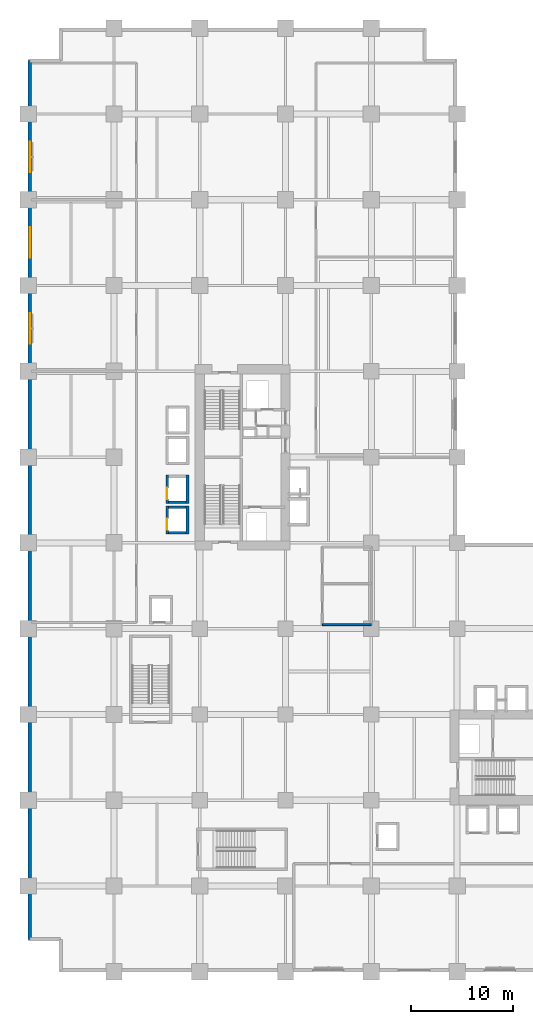
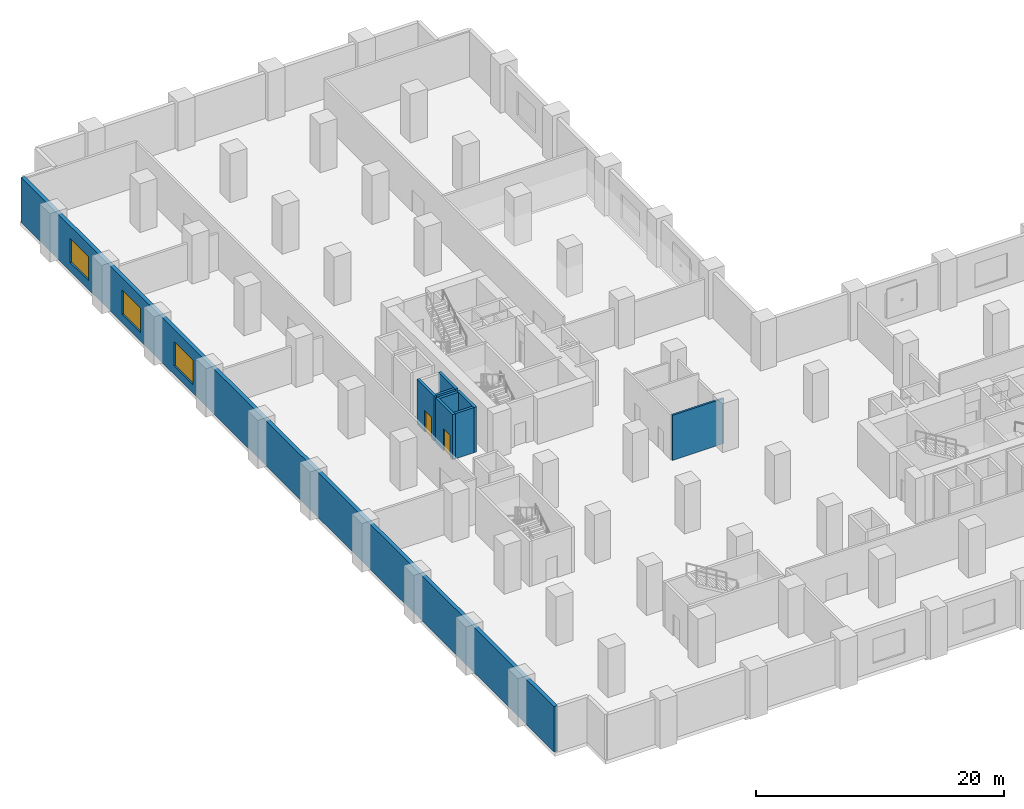
# One storey, part 11 of 22: 9 walls, 3 windows, 2 doors, 5 openings.
"""IFC4 building model written with IfcOpenShell, lengths in metres."""

from ifc_helpers import new_model, si_unit, direction, frame, frame_2d, origin, place, context, subcontext, project, spatial, rectangle, extrude, material, layer, layer_set, type_object, element, fill, save


model = new_model("IFC4")

# Units and contexts
model_context = context("Model", 3, precision=1e-05, world=origin(), true_north=direction((0.0, 1.0)))
body_context = subcontext(model_context, "Body", "Model", "MODEL_VIEW")
ifc_project = project(units=[si_unit("LENGTHUNIT", "METRE"), si_unit("AREAUNIT", "SQUARE_METRE"), si_unit("VOLUMEUNIT", "CUBIC_METRE"), si_unit("PLANEANGLEUNIT", "RADIAN"), si_unit("MASSUNIT", "GRAM", prefix="KILO")], contexts=[model_context])

# Site, building, storey
site_placement = place(None, origin())
site = spatial("IfcSite", under=ifc_project, at=site_placement, CompositionType="ELEMENT")
building_placement = place(site_placement, origin())
building = spatial("IfcBuilding", under=site, at=building_placement, Name="Koriwani Terraces Tower", CompositionType="ELEMENT")
storey_placement = place(building_placement, frame((0.0, 0.0, 10.800048828125)))
storey = spatial("IfcBuildingStorey", under=building, at=storey_placement, Name="L02", CompositionType="ELEMENT", Elevation=10.800048828125)

# Wall, openings, windows
ifc_material_1 = material(Name="Concrete C50/60", Category="concrete")
ifc_layer_1 = layer(ifc_material_1, 0.35009765625, Name="Concrete C50/60")
ifc_layer_set_1 = layer_set([ifc_layer_1], Name="Concrete C50/60")
wall_type_1 = type_object("IfcWallType", Name="WALL_EXT_BRUTALIST_350", PredefinedType="STANDARD", material=ifc_layer_set_1)
wall_1_placement = place(storey_placement, frame((0.175048828125, 3.175048828125, 0.0), z_axis=(0.0, 0.0, 1.0), x_axis=(0.0, 1.0, 0.0)))
wall_1 = element("IfcWall", 1, at=wall_1_placement, inside=storey, type_object=wall_type_1, Name="L02 Fair-Faced Brutalist Exterior Wall (W)", PredefinedType="STANDARD", context=body_context, shape_type="SweptSolid", body=[
    extrude(rectangle(XDim=86.050048828125, YDim=0.35009765625, at=frame_2d((43.02490234375, 0.0))), origin(), (0.0, 0.0, 1.0), 4.449951171875),
])
opening_1_placement = place(wall_1_placement, frame((58.324951171875, 0.0, 0.85009765625)))
opening_1 = element("IfcOpeningElement", 2, at=opening_1_placement, cuts=wall_1, Name="Opening W-06", PredefinedType="OPENING", context=body_context, shape_type="SweptSolid", body=[
    extrude(rectangle(XDim=3.0, YDim=2.39990234375, at=frame_2d((1.5, 1.199951171875))), frame((0.0, 0.18505859375, 0.0), z_axis=(0.0, -1.0, 0.0), x_axis=(1.0, 0.0, 0.0)), (0.0, 0.0, 1.0), 0.3701171875),
])
opening_2_placement = place(wall_1_placement, frame((66.72509765625, 0.0, 0.85009765625)))
opening_2 = element("IfcOpeningElement", 3, at=opening_2_placement, cuts=wall_1, Name="Opening W-06", PredefinedType="OPENING", context=body_context, shape_type="SweptSolid", body=[
    extrude(rectangle(XDim=3.0, YDim=2.39990234375, at=frame_2d((1.5, 1.199951171875))), frame((0.0, 0.18505859375, 0.0), z_axis=(0.0, -1.0, 0.0), x_axis=(1.0, 0.0, 0.0)), (0.0, 0.0, 1.0), 0.3701171875),
])
opening_3_placement = place(wall_1_placement, frame((75.125, 0.0, 0.85009765625)))
opening_3 = element("IfcOpeningElement", 4, at=opening_3_placement, cuts=wall_1, Name="Opening W-06", PredefinedType="OPENING", context=body_context, shape_type="SweptSolid", body=[
    extrude(rectangle(XDim=3.0, YDim=2.39990234375, at=frame_2d((1.5, 1.199951171875))), frame((0.0, 0.18505859375, 0.0), z_axis=(0.0, -1.0, 0.0), x_axis=(1.0, 0.0, 0.0)), (0.0, 0.0, 1.0), 0.3701171875),
])
ifc_material_2 = material(Name="Tempered Laminated Low-E Glass", Category="glass")
window_type = type_object("IfcWindowType", Name="WIN_PODIUM_PUNCHED_3000X2400", PartitioningType="TRIPLE_PANEL_VERTICAL", PredefinedType="WINDOW", material=ifc_material_2)
window_1_placement = place(opening_1_placement, origin())
window_1 = element("IfcWindow", 5, at=window_1_placement, inside=storey, type_object=window_type, Name="L02 Exterior Window (W-21)", OverallHeight=2.39990234375, OverallWidth=3.0, PartitioningType="SINGLE_PANEL", PredefinedType="WINDOW", context=body_context, shape_type="SweptSolid", body=[
    extrude(rectangle(XDim=3.0, YDim=2.39990234375, at=frame_2d((1.5, 1.199951171875))), frame((0.0, 0.030029296875, 0.0), z_axis=(0.0, -1.0, 0.0), x_axis=(1.0, 0.0, 0.0)), (0.0, 0.0, 1.0), 0.06005859375),
])
fill(opening_1, window_1)
window_2_placement = place(opening_2_placement, origin())
window_2 = element("IfcWindow", 6, at=window_2_placement, inside=storey, type_object=window_type, Name="L02 Exterior Window (W-24)", OverallHeight=2.39990234375, OverallWidth=3.0, PartitioningType="SINGLE_PANEL", PredefinedType="WINDOW", context=body_context, shape_type="SweptSolid", body=[
    extrude(rectangle(XDim=3.0, YDim=2.39990234375, at=frame_2d((1.5, 1.199951171875))), frame((0.0, 0.030029296875, 0.0), z_axis=(0.0, -1.0, 0.0), x_axis=(1.0, 0.0, 0.0)), (0.0, 0.0, 1.0), 0.06005859375),
])
fill(opening_2, window_2)
window_3_placement = place(opening_3_placement, origin())
window_3 = element("IfcWindow", 7, at=window_3_placement, inside=storey, type_object=window_type, Name="L02 Exterior Window (W-27)", OverallHeight=2.39990234375, OverallWidth=3.0, PartitioningType="SINGLE_PANEL", PredefinedType="WINDOW", context=body_context, shape_type="SweptSolid", body=[
    extrude(rectangle(XDim=3.0, YDim=2.39990234375, at=frame_2d((1.5, 1.199951171875))), frame((0.0, 0.030029296875, 0.0), z_axis=(0.0, -1.0, 0.0), x_axis=(1.0, 0.0, 0.0)), (0.0, 0.0, 1.0), 0.06005859375),
])
fill(opening_3, window_3)

# Wall
ifc_material_3 = material(Name="Fire-Rated Acoustic Gypsum Partition", Category="masonry")
ifc_layer_2 = layer(ifc_material_3, 0.179931640625, Name="Fire-Rated Acoustic Gypsum Partition")
ifc_layer_set_2 = layer_set([ifc_layer_2], Name="Fire-Rated Acoustic Gypsum Partition")
wall_type_2 = type_object("IfcWallType", Name="WALL_PLUMBING_180", PredefinedType="PLUMBINGWALL", material=ifc_layer_set_2)
wall_2_placement = place(storey_placement, frame((28.800048828125, 34.0, 0.0), z_axis=(0.0, 0.0, 1.0), x_axis=(1.0, 0.0, 0.0)))
element("IfcWall", 8, at=wall_2_placement, inside=storey, type_object=wall_type_2, Name="L02 Interior Wall WPOD-WCS-L02", PredefinedType="PLUMBINGWALL", context=body_context, shape_type="SweptSolid", body=[
    extrude(rectangle(XDim=4.800048828125, YDim=0.179931640625, at=frame_2d((2.39990234375, 0.0))), origin(), (0.0, 0.0, 1.0), 4.449951171875),
])

# Wall, opening, door
ifc_material_4 = material(Name="Concrete C40/50", Category="concrete")
ifc_layer_3 = layer(ifc_material_4, 0.25, Name="Concrete C40/50")
ifc_layer_set_3 = layer_set([ifc_layer_3], Name="Concrete C40/50")
wall_type_3 = type_object("IfcWallType", Name="WALL_SHAFT_RATED_250", PredefinedType="SOLIDWALL", material=ifc_layer_set_3)
wall_3_placement = place(storey_placement, frame((13.60009765625, 42.875, 0.0), z_axis=(0.0, 0.0, 1.0), x_axis=(0.0, 1.0, 0.0)))
wall_3 = element("IfcWall", 9, at=wall_3_placement, inside=storey, type_object=wall_type_3, Name="L02 Interior Wall WIN-LF-PE-L1-L02-F", PredefinedType="SOLIDWALL", context=body_context, shape_type="SweptSolid", body=[
    extrude(rectangle(XDim=2.75, YDim=0.25, at=frame_2d((1.375, 0.0))), origin(), (0.0, 0.0, 1.0), 4.449951171875),
])
opening_4_placement = place(wall_3_placement, frame((0.39990234375, 0.0, 0.0)))
opening_4 = element("IfcOpeningElement", 10, at=opening_4_placement, cuts=wall_3, Name="Opening LD-01", PredefinedType="OPENING", context=body_context, shape_type="SweptSolid", body=[
    extrude(rectangle(XDim=1.10009765625, YDim=2.14990234375, at=frame_2d((0.550048828125, 1.074951171875))), frame((0.0, 0.135009765625, 0.0), z_axis=(0.0, -1.0, 0.0), x_axis=(1.0, 0.0, 0.0)), (0.0, 0.0, 1.0), 0.27001953125),
])
ifc_material_5 = material(Name="Steel ASTM A572 Grade 50", Category="steel")
door_type = type_object("IfcDoorType", Name="DOOR_LIFT_LANDING_1100X2200", OperationType="NOTDEFINED", PredefinedType="DOOR", material=ifc_material_5)
door_1_placement = place(opening_4_placement, origin())
door_1 = element("IfcDoor", 11, at=door_1_placement, inside=storey, type_object=door_type, Name="L02 Passenger Lift PE-L1 Landing Door", OperationType="SLIDING_TO_LEFT", OverallHeight=2.14990234375, OverallWidth=1.10009765625, PredefinedType="DOOR", context=body_context, shape_type="SweptSolid", body=[
    extrude(rectangle(XDim=1.10009765625, YDim=2.14990234375, at=frame_2d((0.550048828125, 1.074951171875))), frame((0.0, 0.02490234375, 0.0), z_axis=(0.0, -1.0, 0.0), x_axis=(1.0, 0.0, 0.0)), (0.0, 0.0, 1.0), 0.050048828125),
])
fill(opening_4, door_1)

# Walls
wall_4_placement = place(storey_placement, frame((15.60009765625, 42.875, 0.0), z_axis=(0.0, 0.0, 1.0), x_axis=(0.0, 1.0, 0.0)))
element("IfcWall", 12, at=wall_4_placement, inside=storey, type_object=wall_type_3, Name="L02 Interior Wall WIN-LF-PE-L1-L02-B", PredefinedType="SOLIDWALL", context=body_context, shape_type="SweptSolid", body=[
    extrude(rectangle(XDim=2.75, YDim=0.25, at=frame_2d((1.375, 0.0))), origin(), (0.0, 0.0, 1.0), 4.449951171875),
])
for number, where, z_axis, x_axis, name in (
    (13, (13.72509765625, 43.0, 0.0), (0.0, 0.0, 1.0), (1.0, 0.0, 0.0), "L02 Interior Wall WIN-LF-PE-L1-L02-S"),
    (14, (13.72509765625, 45.5, 0.0), (0.0, 0.0, 1.0), (1.0, 0.0, 0.0), "L02 Interior Wall WIN-LF-PE-L1-L02-N"),
):
    element("IfcWall", number, at=place(storey_placement, frame(where, z_axis=z_axis, x_axis=x_axis)), inside=storey, type_object=wall_type_3, Name=name, PredefinedType="SOLIDWALL", context=body_context, shape_type="SweptSolid", body=[
        extrude(rectangle(XDim=1.75, YDim=0.25, at=frame_2d((0.875, 0.0))), origin(), (0.0, 0.0, 1.0), 4.449951171875),
    ])

# Wall, opening, door
wall_5_placement = place(storey_placement, frame((13.60009765625, 45.875, 0.0), z_axis=(0.0, 0.0, 1.0), x_axis=(0.0, 1.0, 0.0)))
wall_5 = element("IfcWall", 15, at=wall_5_placement, inside=storey, type_object=wall_type_3, Name="L02 Interior Wall WIN-LF-PE-L2-L02-F", PredefinedType="SOLIDWALL", context=body_context, shape_type="SweptSolid", body=[
    extrude(rectangle(XDim=2.75, YDim=0.25, at=frame_2d((1.375, 0.0))), origin(), (0.0, 0.0, 1.0), 4.449951171875),
])
opening_5_placement = place(wall_5_placement, frame((0.39990234375, 0.0, 0.0)))
opening_5 = element("IfcOpeningElement", 16, at=opening_5_placement, cuts=wall_5, Name="Opening LD-01", PredefinedType="OPENING", context=body_context, shape_type="SweptSolid", body=[
    extrude(rectangle(XDim=1.10009765625, YDim=2.14990234375, at=frame_2d((0.550048828125, 1.074951171875))), frame((0.0, 0.135009765625, 0.0), z_axis=(0.0, -1.0, 0.0), x_axis=(1.0, 0.0, 0.0)), (0.0, 0.0, 1.0), 0.27001953125),
])
door_2_placement = place(opening_5_placement, origin())
door_2 = element("IfcDoor", 17, at=door_2_placement, inside=storey, type_object=door_type, Name="L02 Passenger Lift PE-L2 Landing Door", OperationType="SLIDING_TO_LEFT", OverallHeight=2.14990234375, OverallWidth=1.10009765625, PredefinedType="DOOR", context=body_context, shape_type="SweptSolid", body=[
    extrude(rectangle(XDim=1.10009765625, YDim=2.14990234375, at=frame_2d((0.550048828125, 1.074951171875))), frame((0.0, 0.02490234375, 0.0), z_axis=(0.0, -1.0, 0.0), x_axis=(1.0, 0.0, 0.0)), (0.0, 0.0, 1.0), 0.050048828125),
])
fill(opening_5, door_2)

# Walls
wall_6_placement = place(storey_placement, frame((15.60009765625, 45.875, 0.0), z_axis=(0.0, 0.0, 1.0), x_axis=(0.0, 1.0, 0.0)))
element("IfcWall", 18, at=wall_6_placement, inside=storey, type_object=wall_type_3, Name="L02 Interior Wall WIN-LF-PE-L2-L02-B", PredefinedType="SOLIDWALL", context=body_context, shape_type="SweptSolid", body=[
    extrude(rectangle(XDim=2.75, YDim=0.25, at=frame_2d((1.375, 0.0))), origin(), (0.0, 0.0, 1.0), 4.449951171875),
])
wall_7_placement = place(storey_placement, frame((13.72509765625, 46.0, 0.0), z_axis=(0.0, 0.0, 1.0), x_axis=(1.0, 0.0, 0.0)))
element("IfcWall", 19, at=wall_7_placement, inside=storey, type_object=wall_type_3, Name="L02 Interior Wall WIN-LF-PE-L2-L02-S", PredefinedType="SOLIDWALL", context=body_context, shape_type="SweptSolid", body=[
    extrude(rectangle(XDim=1.75, YDim=0.25, at=frame_2d((0.875, 0.0))), origin(), (0.0, 0.0, 1.0), 4.449951171875),
])

save(model, "model.ifc")
